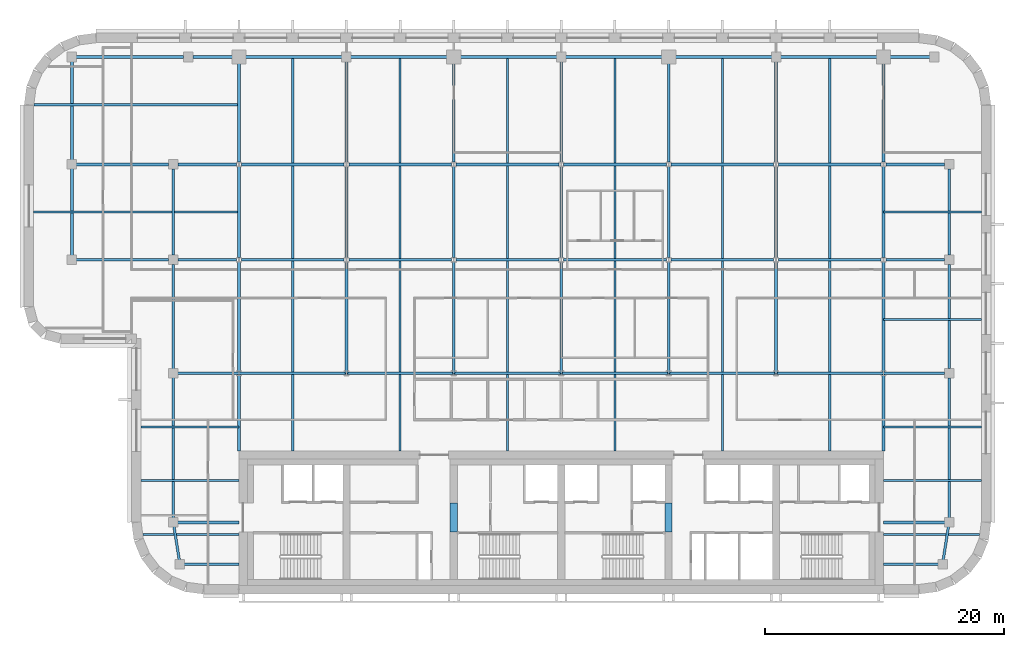
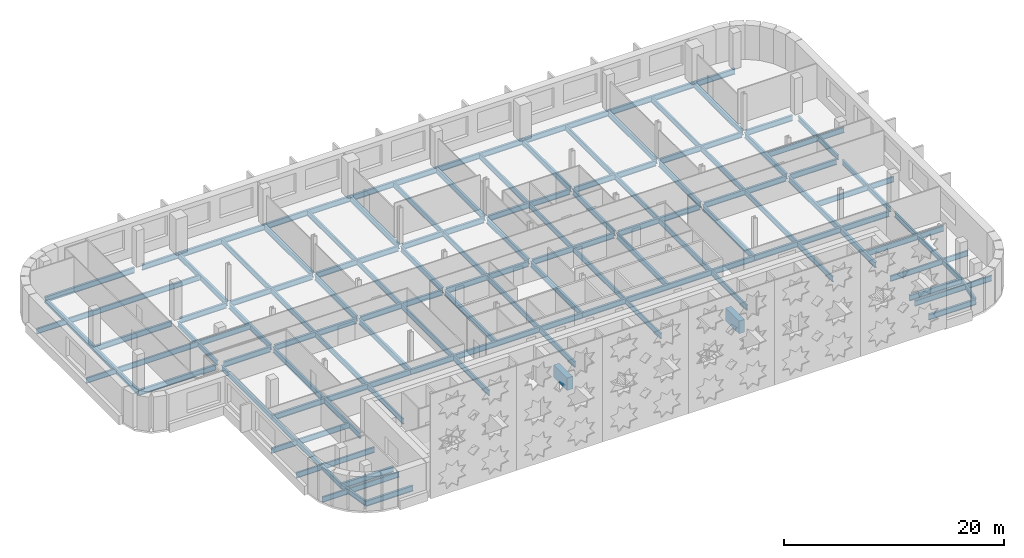
# One storey, part 5 of 17: 80 beams.
"""IFC4 building model written with IfcOpenShell, lengths in metres."""

import ifcopenshell
import ifcopenshell.guid

model = None  # the IFC model being written
_history = None  # IfcOwnerHistory: only IFC2X3 demands one
_inside = {}  # id of a spatial element -> (the spatial element, [elements in it])
_under = {}  # id of a project, library or spatial element -> (it, [spatial elements below it])
_declared = {}  # id of a project -> (the project, [libraries it declares])
_typed = {}  # id of a type object -> (the type object, [elements of that type])
_made_of = {}  # id of a material, layer set ... -> (it, [elements and type objects made of it])


def new_model(schema):
    """Start an empty IFC model of exactly this schema.

    Asked for "IFC4X3", IfcOpenShell would pick the latest addendum, in which some entities
    have other attributes; the version numbers below select the first issue.
    IFC2X3 requires an IfcOwnerHistory on every rooted entity: one is made here for all.
    """
    global model, _history
    if schema == "IFC4X3":
        model = ifcopenshell.file(schema_version=(4, 3, 0, 0))
    else:
        model = ifcopenshell.file(schema=schema)
    _inside.clear()
    _under.clear()
    _declared.clear()
    _typed.clear()
    _made_of.clear()
    _history = None
    if model.schema == "IFC2X3":
        org = make("IfcOrganization", Name="unknown")
        user = make(
            "IfcPersonAndOrganization",
            ThePerson=make("IfcPerson", FamilyName="unknown"),
            TheOrganization=org,
        )
        app = make(
            "IfcApplication",
            ApplicationDeveloper=org,
            Version="unknown",
            ApplicationFullName="unknown",
            ApplicationIdentifier="unknown",
        )
        _history = make(
            "IfcOwnerHistory",
            OwningUser=user,
            OwningApplication=app,
            ChangeAction="ADDED",
            CreationDate=0,
        )
    return model


def make(cls, **values):
    """One entity of the class cls with the attributes given. An attribute that is None is left unset."""
    return model.create_entity(
        cls, **{name: value for name, value in values.items() if value is not None}
    )


def rooted(cls, **values):
    """An entity with a GlobalId (a new one), such as an element, a storey or a relation."""
    return make(cls, GlobalId=ifcopenshell.guid.new(), OwnerHistory=_history, **values)


def si_unit(unit_type, name, prefix=None):
    """IfcSIUnit, for example si_unit("LENGTHUNIT", "METRE", prefix="MILLI")."""
    return make("IfcSIUnit", UnitType=unit_type, Prefix=prefix, Name=name)


def assignment(units):
    """IfcUnitAssignment: the units of a project."""
    return None if units is None else make("IfcUnitAssignment", Units=units)


def point(xyz):
    """IfcCartesianPoint."""
    return None if xyz is None else make("IfcCartesianPoint", Coordinates=xyz)


def direction(xyz):
    """IfcDirection."""
    return None if xyz is None else make("IfcDirection", DirectionRatios=xyz)


def frame(location, z_axis=None, x_axis=None):
    """IfcAxis2Placement3D, a coordinate frame: its origin and axes. An axis left out is left unset."""
    return make(
        "IfcAxis2Placement3D",
        Location=point(location),
        Axis=direction(z_axis),
        RefDirection=direction(x_axis),
    )


def frame_2d(location, x_axis=None):
    """IfcAxis2Placement2D, a coordinate frame in the plane: its origin and x axis."""
    return make(
        "IfcAxis2Placement2D", Location=point(location), RefDirection=direction(x_axis)
    )


def origin():
    """The frame at (0, 0, 0) with its axes left unset."""
    return frame((0.0, 0.0, 0.0))


def origin_2d():
    """The frame at (0, 0) in the plane with its x axis left unset."""
    return frame_2d((0.0, 0.0))


def place(relative_to, where):
    """IfcLocalPlacement: puts the frame where relative to a parent placement (None: the world)."""
    return make(
        "IfcLocalPlacement", PlacementRelTo=relative_to, RelativePlacement=where
    )


def context(
    kind, dimensions, precision=None, world=None, true_north=None, identifier=None
):
    """IfcGeometricRepresentationContext, for example the 3D "Model" context."""
    return make(
        "IfcGeometricRepresentationContext",
        ContextIdentifier=identifier,
        ContextType=kind,
        CoordinateSpaceDimension=dimensions,
        Precision=precision,
        WorldCoordinateSystem=world,
        TrueNorth=true_north,
    )


def subcontext(parent, identifier, kind, view, scale=None):
    """IfcGeometricRepresentationSubContext, for example "Body" below "Model"."""
    return make(
        "IfcGeometricRepresentationSubContext",
        ContextIdentifier=identifier,
        ContextType=kind,
        ParentContext=parent,
        TargetScale=scale,
        TargetView=view,
    )


def project(units=None, contexts=None):
    """IfcProject with its units and contexts."""
    return rooted(
        "IfcProject",
        Name="project",
        RepresentationContexts=contexts,
        UnitsInContext=assignment(units),
    )


def spatial(cls, under=None, at=None, **own):
    """A site, building, storey or space (cls), placed at a placement, below another one or the project."""
    s = rooted(cls, ObjectPlacement=at, **own)
    if under is not None:
        _under.setdefault(under.id(), (under, []))[1].append(s)
    return s


def profile(cls, at=None, kind="AREA", **sizes):
    """A parametric profile (cls). Its sizes go by their IFC names, for example OverallWidth=200.0."""
    return make(cls, ProfileType=kind, Position=at, **sizes)


def rectangle(**sizes):
    """IfcRectangleProfileDef."""
    return profile("IfcRectangleProfileDef", **sizes)


def i_section(**sizes):
    """IfcIShapeProfileDef."""
    return profile("IfcIShapeProfileDef", **sizes)


def extrude(swept, where, along, depth):
    """IfcExtrudedAreaSolid: the profile swept, set in the frame where, extruded along a direction by depth."""
    return make(
        "IfcExtrudedAreaSolid",
        SweptArea=swept,
        Position=where,
        ExtrudedDirection=direction(along),
        Depth=depth,
    )


def shape(context_of_items, identifier, shape_type, items):
    """IfcShapeRepresentation: the items that make up one representation, for example the "Body"."""
    return make(
        "IfcShapeRepresentation",
        ContextOfItems=context_of_items,
        RepresentationIdentifier=identifier,
        RepresentationType=shape_type,
        Items=items,
    )


def material(Name=None, Category=None):
    """IfcMaterial."""
    return make("IfcMaterial", Name=Name, Category=Category)


def material_profile(
    of_material, cross_section, Name=None, Category=None, Priority=None
):
    """IfcMaterialProfile: a cross section and its material."""
    return make(
        "IfcMaterialProfile",
        Name=Name,
        Material=of_material,
        Profile=cross_section,
        Priority=Priority,
        Category=Category,
    )


def profile_set(profiles, Name=None, composite=None):
    """IfcMaterialProfileSet."""
    return make(
        "IfcMaterialProfileSet",
        Name=Name,
        MaterialProfiles=profiles,
        CompositeProfile=composite,
    )


def made_of(thing, what):
    """Note that an element or type object is made of a material, layer set ...; save() writes the relation."""
    if what is not None:
        _made_of.setdefault(what.id(), (what, []))[1].append(thing)
    return thing


def type_object(cls, material=None, **own):
    """A type object (cls), such as IfcWallType, which elements share."""
    return made_of(rooted(cls, **own), material)


def element(
    cls,
    number,
    at=None,
    inside=None,
    cuts=None,
    type_object=None,
    material=None,
    context=None,
    identifier="Body",
    shape_type=None,
    held_by="IfcProductDefinitionShape",
    body=None,
    shapes=None,
    **own,
):
    """One element of the class cls, such as IfcWall. Its Tag is "e" and its number.

    at: its placement. inside: the storey or other place that contains it. cuts: it is an
    opening in that element (IfcRelVoidsElement). A single representation is given by context,
    identifier, shape_type and body (its items); several are given by shapes. held_by: the class
    of the entity that holds the representations. save() writes the other relations.
    """
    e = rooted(cls, Tag="e%d" % number, ObjectPlacement=at, **own)
    if body is not None:
        shapes = [shape(context, identifier, shape_type, body)]
    if shapes is not None:
        e.Representation = make(held_by, Representations=shapes)
    if inside is not None:
        _inside.setdefault(inside.id(), (inside, []))[1].append(e)
    if cuts is not None:
        rooted(
            "IfcRelVoidsElement", RelatingBuildingElement=cuts, RelatedOpeningElement=e
        )
    if type_object is not None:
        _typed.setdefault(type_object.id(), (type_object, []))[1].append(e)
    return made_of(e, material)


def aggregate(whole, parts):
    """IfcRelAggregates: a whole, such as a stair, and the parts it consists of."""
    return rooted("IfcRelAggregates", RelatingObject=whole, RelatedObjects=parts)


def save(model, path):
    """Write the relations noted so far, then the file.

    IfcRelAggregates (storeys below a building ...), IfcRelContainedInSpatialStructure (elements
    in a storey), IfcRelDefinesByType, IfcRelAssociatesMaterial and IfcRelDeclares: one each for
    every whole, place, type object, material and project.
    """
    for whole, parts in _under.values():
        aggregate(whole, parts)
    for where, things in _inside.values():
        rooted(
            "IfcRelContainedInSpatialStructure",
            RelatedElements=things,
            RelatingStructure=where,
        )
    for kind, things in _typed.values():
        rooted("IfcRelDefinesByType", RelatedObjects=things, RelatingType=kind)
    for what, things in _made_of.values():
        rooted("IfcRelAssociatesMaterial", RelatedObjects=things, RelatingMaterial=what)
    for by, libraries in _declared.values():
        rooted("IfcRelDeclares", RelatingContext=by, RelatedDefinitions=libraries)
    model.write(path)


model = new_model("IFC4")

# Units and contexts
model_context = context("Model", 3, precision=1e-05, world=origin(), true_north=direction((0.0, 1.0)))
body_context = subcontext(model_context, "Body", "Model", "MODEL_VIEW")
ifc_project = project(units=[si_unit("LENGTHUNIT", "METRE"), si_unit("AREAUNIT", "SQUARE_METRE"), si_unit("VOLUMEUNIT", "CUBIC_METRE"), si_unit("PLANEANGLEUNIT", "RADIAN"), si_unit("MASSUNIT", "GRAM", prefix="KILO")], contexts=[model_context])

# Site, building, storey
site_placement = place(None, origin())
site = spatial("IfcSite", under=ifc_project, at=site_placement, CompositionType="ELEMENT")
building_placement = place(site_placement, origin())
building = spatial("IfcBuilding", under=site, at=building_placement, Name="Zellij Exchange Tower", CompositionType="ELEMENT")
storey_placement = place(building_placement, frame((0.0, 0.0, 252.5)))
storey = spatial("IfcBuildingStorey", under=building, at=storey_placement, Name="L59", CompositionType="ELEMENT", Elevation=252.5)

# Beams
ifc_material_1 = material(Name="Concrete C50/60", Category="concrete")
ifc_material_profile_1 = material_profile(ifc_material_1, rectangle(XDim=0.60009765625, YDim=1.39990234375, at=origin_2d()), Name="CORE-CB 600x1400 C50/60")
ifc_profile_set_1 = profile_set([ifc_material_profile_1], Name="Concrete C50/60")
beam_type_1 = type_object("IfcBeamType", Name="CORE-CB 600x1400 C50/60", PredefinedType="BEAM", material=ifc_profile_set_1)
for number, where, z_axis, x_axis, name in (
    (1, (-9.0, -8.800048828125, 3.10009765625), (0.0, 1.0, 0.0), (-1.0, 0.0, 0.0), "Core coupling beam x -9 L59"),
    (2, (9.0, -8.800048828125, 3.10009765625), (0.0, 1.0, 0.0), (-1.0, 0.0, 0.0), "Core coupling beam x 9 L59"),
):
    element("IfcBeam", number, at=place(storey_placement, frame(where, z_axis=z_axis, x_axis=x_axis)), inside=storey, type_object=beam_type_1, Name=name, PredefinedType="BEAM", context=body_context, shape_type="SweptSolid", body=[
        extrude(rectangle(XDim=0.60009765625, YDim=1.39990234375, at=origin_2d()), origin(), (0.0, 0.0, 1.0), 2.425048828125),
    ])
ifc_material_2 = material(Name="Structural steel ASTM A992 Gr 50", Category="steel")
ifc_material_profile_2 = material_profile(ifc_material_2, i_section(OverallWidth=0.177978515625, OverallDepth=0.599365234375, WebThickness=0.010009765625, FlangeThickness=0.012939453125, at=origin_2d()), Name="W24x55")
ifc_profile_set_2 = profile_set([ifc_material_profile_2], Name="Structural steel ASTM A992 Gr 50")
beam_type_2 = type_object("IfcBeamType", Name="STR-BEAM W24x55", PredefinedType="BEAM", material=ifc_profile_set_2)
for number, where, z_axis, x_axis, name in (
    (3, (-22.5, -2.0, -0.499755859375), (0.0, 1.0, 0.0), (-1.0, 0.0, 0.0), "B4"),
    (4, (-13.5, -2.0, -0.499755859375), (0.0, 1.0, 0.0), (-1.0, 0.0, 0.0), "B4"),
    (5, (-4.5, -2.0, -0.499755859375), (0.0, 1.0, 0.0), (-1.0, 0.0, 0.0), "B4"),
    (6, (4.5, -2.0, -0.499755859375), (0.0, 1.0, 0.0), (-1.0, 0.0, 0.0), "B4"),
    (7, (13.5, -2.0, -0.499755859375), (0.0, 1.0, 0.0), (-1.0, 0.0, 0.0), "B4"),
    (8, (22.5, -2.0, -0.499755859375), (0.0, 1.0, 0.0), (-1.0, 0.0, 0.0), "B4"),
):
    element("IfcBeam", number, at=place(storey_placement, frame(where, z_axis=z_axis, x_axis=x_axis)), inside=storey, type_object=beam_type_2, Name=name, PredefinedType="BEAM", context=body_context, shape_type="SweptSolid", body=[
        extrude(i_section(OverallWidth=0.177978515625, OverallDepth=0.599365234375, WebThickness=0.010009765625, FlangeThickness=0.012939453125, at=origin_2d()), origin(), (0.0, 0.0, 1.0), 33.1142578125),
    ])
beam_1_placement = place(storey_placement, frame((-35.06103515625, -9.0, -0.499755859375), z_axis=(1.0, 0.0, 0.0), x_axis=(0.0, 1.0, 0.0)))
element("IfcBeam", 9, at=beam_1_placement, inside=storey, type_object=beam_type_2, Name="B4", PredefinedType="BEAM", context=body_context, shape_type="SweptSolid", body=[
    extrude(i_section(OverallWidth=0.177978515625, OverallDepth=0.599365234375, WebThickness=0.010009765625, FlangeThickness=0.012939453125, at=origin_2d()), origin(), (0.0, 0.0, 1.0), 8.06103515625),
])
for number, where, z_axis, x_axis, name in (
    (10, (-35.199951171875, -4.5, -0.499755859375), (1.0, 0.0, 0.0), (0.0, 1.0, 0.0), "B4"),
    (11, (-35.199951171875, 0.0, -0.499755859375), (1.0, 0.0, 0.0), (0.0, 1.0, 0.0), "B4"),
):
    element("IfcBeam", number, at=place(storey_placement, frame(where, z_axis=z_axis, x_axis=x_axis)), inside=storey, type_object=beam_type_2, Name=name, PredefinedType="BEAM", context=body_context, shape_type="SweptSolid", body=[
        extrude(i_section(OverallWidth=0.177978515625, OverallDepth=0.599365234375, WebThickness=0.010009765625, FlangeThickness=0.012939453125, at=origin_2d()), origin(), (0.0, 0.0, 1.0), 8.199951171875),
    ])
beam_2_placement = place(storey_placement, frame((-44.199951171875, 18.0, -0.499755859375), z_axis=(1.0, 0.0, 0.0), x_axis=(0.0, 1.0, 0.0)))
element("IfcBeam", 12, at=beam_2_placement, inside=storey, type_object=beam_type_2, Name="B4", PredefinedType="BEAM", context=body_context, shape_type="SweptSolid", body=[
    extrude(i_section(OverallWidth=0.177978515625, OverallDepth=0.599365234375, WebThickness=0.010009765625, FlangeThickness=0.012939453125, at=origin_2d()), origin(), (0.0, 0.0, 1.0), 17.199951171875),
])
beam_3_placement = place(storey_placement, frame((-44.193115234375, 27.0, -0.499755859375), z_axis=(1.0, 0.0, 0.0), x_axis=(0.0, 1.0, 0.0)))
element("IfcBeam", 13, at=beam_3_placement, inside=storey, type_object=beam_type_2, Name="B4", PredefinedType="BEAM", context=body_context, shape_type="SweptSolid", body=[
    extrude(i_section(OverallWidth=0.177978515625, OverallDepth=0.599365234375, WebThickness=0.010009765625, FlangeThickness=0.012939453125, at=origin_2d()), origin(), (0.0, 0.0, 1.0), 17.193115234375),
])
beam_4_placement = place(storey_placement, frame((27.0, -9.0, -0.499755859375), z_axis=(1.0, 0.0, 0.0), x_axis=(0.0, 1.0, 0.0)))
element("IfcBeam", 14, at=beam_4_placement, inside=storey, type_object=beam_type_2, Name="B4", PredefinedType="BEAM", context=body_context, shape_type="SweptSolid", body=[
    extrude(i_section(OverallWidth=0.177978515625, OverallDepth=0.599365234375, WebThickness=0.010009765625, FlangeThickness=0.012939453125, at=origin_2d()), origin(), (0.0, 0.0, 1.0), 8.06103515625),
])
for number, where, z_axis, x_axis, name in (
    (15, (27.0, -4.5, -0.499755859375), (1.0, 0.0, 0.0), (0.0, 1.0, 0.0), "B4"),
    (16, (27.0, 0.0, -0.499755859375), (1.0, 0.0, 0.0), (0.0, 1.0, 0.0), "B4"),
    (17, (27.0, 9.0, -0.499755859375), (1.0, 0.0, 0.0), (0.0, 1.0, 0.0), "B4"),
    (18, (27.0, 18.0, -0.499755859375), (1.0, 0.0, 0.0), (0.0, 1.0, 0.0), "B4"),
):
    element("IfcBeam", number, at=place(storey_placement, frame(where, z_axis=z_axis, x_axis=x_axis)), inside=storey, type_object=beam_type_2, Name=name, PredefinedType="BEAM", context=body_context, shape_type="SweptSolid", body=[
        extrude(i_section(OverallWidth=0.177978515625, OverallDepth=0.599365234375, WebThickness=0.010009765625, FlangeThickness=0.012939453125, at=origin_2d()), origin(), (0.0, 0.0, 1.0), 8.199951171875),
    ])
ifc_material_profile_3 = material_profile(ifc_material_2, i_section(OverallWidth=0.209228515625, OverallDepth=0.533447265625, WebThickness=0.01025390625, FlangeThickness=0.015625, at=origin_2d()), Name="W21x62")
ifc_profile_set_3 = profile_set([ifc_material_profile_3], Name="Structural steel ASTM A992 Gr 50")
beam_type_3 = type_object("IfcBeamType", Name="STR-EDGE GIRDER W21x62", PredefinedType="BEAM", material=ifc_profile_set_3)
beam_5_placement = place(storey_placement, frame((-31.949951171875, -11.5, -0.466796875), z_axis=(-0.155251283593, 0.987875011802, 0.0), x_axis=(-0.987875011802, -0.155251283593, 0.0)))
element("IfcBeam", 19, at=beam_5_placement, inside=storey, type_object=beam_type_3, Name="EB3", PredefinedType="BEAM", context=body_context, shape_type="SweptSolid", body=[
    extrude(i_section(OverallWidth=0.209228515625, OverallDepth=0.533447265625, WebThickness=0.01025390625, FlangeThickness=0.015625, at=origin_2d()), origin(), (0.0, 0.0, 1.0), 3.54296875),
])
beam_6_placement = place(storey_placement, frame((-32.5, -8.0, -0.466796875), z_axis=(0.0, 1.0, 0.0), x_axis=(-1.0, 0.0, 0.0)))
element("IfcBeam", 20, at=beam_6_placement, inside=storey, type_object=beam_type_3, Name="EB3", PredefinedType="BEAM", context=body_context, shape_type="SweptSolid", body=[
    extrude(i_section(OverallWidth=0.209228515625, OverallDepth=0.533447265625, WebThickness=0.01025390625, FlangeThickness=0.015625, at=origin_2d()), origin(), (0.0, 0.0, 1.0), 12.5),
])
beam_7_placement = place(storey_placement, frame((-32.5, 4.5, -0.466796875), z_axis=(0.0, 1.0, 0.0), x_axis=(-1.0, 0.0, 0.0)))
element("IfcBeam", 21, at=beam_7_placement, inside=storey, type_object=beam_type_3, Name="EB3", PredefinedType="BEAM", context=body_context, shape_type="SweptSolid", body=[
    extrude(i_section(OverallWidth=0.209228515625, OverallDepth=0.533447265625, WebThickness=0.01025390625, FlangeThickness=0.015625, at=origin_2d()), origin(), (0.0, 0.0, 1.0), 9.10009765625),
])
beam_8_placement = place(storey_placement, frame((-32.5, 14.39990234375, -0.466796875), z_axis=(0.0, 1.0, 0.0), x_axis=(-1.0, 0.0, 0.0)))
element("IfcBeam", 22, at=beam_8_placement, inside=storey, type_object=beam_type_3, Name="EB3", PredefinedType="BEAM", context=body_context, shape_type="SweptSolid", body=[
    extrude(i_section(OverallWidth=0.209228515625, OverallDepth=0.533447265625, WebThickness=0.01025390625, FlangeThickness=0.015625, at=origin_2d()), origin(), (0.0, 0.0, 1.0), 7.2001953125),
])
beam_9_placement = place(storey_placement, frame((31.949951171875, -11.5, -0.466796875), z_axis=(0.155251283593, 0.987875011802, 0.0), x_axis=(-0.987875011802, 0.155251283593, 0.0)))
element("IfcBeam", 23, at=beam_9_placement, inside=storey, type_object=beam_type_3, Name="EB3", PredefinedType="BEAM", context=body_context, shape_type="SweptSolid", body=[
    extrude(i_section(OverallWidth=0.209228515625, OverallDepth=0.533447265625, WebThickness=0.01025390625, FlangeThickness=0.015625, at=origin_2d()), origin(), (0.0, 0.0, 1.0), 3.54296875),
])
beam_10_placement = place(storey_placement, frame((32.5, -8.0, -0.466796875), z_axis=(0.0, 1.0, 0.0), x_axis=(-1.0, 0.0, 0.0)))
element("IfcBeam", 24, at=beam_10_placement, inside=storey, type_object=beam_type_3, Name="EB3", PredefinedType="BEAM", context=body_context, shape_type="SweptSolid", body=[
    extrude(i_section(OverallWidth=0.209228515625, OverallDepth=0.533447265625, WebThickness=0.01025390625, FlangeThickness=0.015625, at=origin_2d()), origin(), (0.0, 0.0, 1.0), 12.10009765625),
])
beam_11_placement = place(storey_placement, frame((32.5, 4.89990234375, -0.466796875), z_axis=(0.0, 1.0, 0.0), x_axis=(-1.0, 0.0, 0.0)))
element("IfcBeam", 25, at=beam_11_placement, inside=storey, type_object=beam_type_3, Name="EB3", PredefinedType="BEAM", context=body_context, shape_type="SweptSolid", body=[
    extrude(i_section(OverallWidth=0.209228515625, OverallDepth=0.533447265625, WebThickness=0.01025390625, FlangeThickness=0.015625, at=origin_2d()), origin(), (0.0, 0.0, 1.0), 8.7001953125),
])
beam_12_placement = place(storey_placement, frame((32.5, 14.39990234375, -0.466796875), z_axis=(0.0, 1.0, 0.0), x_axis=(-1.0, 0.0, 0.0)))
element("IfcBeam", 26, at=beam_12_placement, inside=storey, type_object=beam_type_3, Name="EB3", PredefinedType="BEAM", context=body_context, shape_type="SweptSolid", body=[
    extrude(i_section(OverallWidth=0.209228515625, OverallDepth=0.533447265625, WebThickness=0.01025390625, FlangeThickness=0.015625, at=origin_2d()), origin(), (0.0, 0.0, 1.0), 7.2001953125),
])
ifc_material_profile_4 = material_profile(ifc_material_2, i_section(OverallWidth=0.228271484375, OverallDepth=0.607177734375, WebThickness=0.01123046875, FlangeThickness=0.017333984375, at=origin_2d()), Name="W24x76")
ifc_profile_set_4 = profile_set([ifc_material_profile_4], Name="Structural steel ASTM A992 Gr 50")
beam_type_4 = type_object("IfcBeamType", Name="STR-GIRDER W24x76", PredefinedType="BEAM", material=ifc_profile_set_4)
for number, where, z_axis, x_axis, name in (
    (27, (-31.949951171875, -11.5, -0.50341796875), (1.0, 0.0, 0.0), (0.0, 1.0, 0.0), "G2"),
    (28, (27.0, -11.5, -0.50341796875), (1.0, 0.0, 0.0), (0.0, 1.0, 0.0), "G2"),
):
    element("IfcBeam", number, at=place(storey_placement, frame(where, z_axis=z_axis, x_axis=x_axis)), inside=storey, type_object=beam_type_4, Name=name, PredefinedType="BEAM", context=body_context, shape_type="SweptSolid", body=[
        extrude(i_section(OverallWidth=0.228271484375, OverallDepth=0.607177734375, WebThickness=0.01123046875, FlangeThickness=0.017333984375, at=origin_2d()), origin(), (0.0, 0.0, 1.0), 4.949951171875),
    ])
for number, where, z_axis, x_axis, name in (
    (29, (-32.5, -8.0, -0.50341796875), (1.0, 0.0, 0.0), (0.0, 1.0, 0.0), "G2"),
    (30, (27.0, -8.0, -0.50341796875), (1.0, 0.0, 0.0), (0.0, 1.0, 0.0), "G2"),
):
    element("IfcBeam", number, at=place(storey_placement, frame(where, z_axis=z_axis, x_axis=x_axis)), inside=storey, type_object=beam_type_4, Name=name, PredefinedType="BEAM", context=body_context, shape_type="SweptSolid", body=[
        extrude(i_section(OverallWidth=0.228271484375, OverallDepth=0.607177734375, WebThickness=0.01123046875, FlangeThickness=0.017333984375, at=origin_2d()), origin(), (0.0, 0.0, 1.0), 5.5),
    ])
beam_13_placement = place(storey_placement, frame((-32.5, 4.5, -0.50341796875), z_axis=(1.0, 0.0, 0.0), x_axis=(0.0, 1.0, 0.0)))
element("IfcBeam", 31, at=beam_13_placement, inside=storey, type_object=beam_type_4, Name="G2", PredefinedType="BEAM", context=body_context, shape_type="SweptSolid", body=[
    extrude(i_section(OverallWidth=0.228271484375, OverallDepth=0.607177734375, WebThickness=0.01123046875, FlangeThickness=0.017333984375, at=origin_2d()), origin(), (0.0, 0.0, 1.0), 14.5),
])
for number, where, z_axis, x_axis, name in (
    (32, (-18.0, 4.5, -0.50341796875), (1.0, 0.0, 0.0), (0.0, 1.0, 0.0), "G2"),
    (33, (0.0, 4.5, -0.50341796875), (1.0, 0.0, 0.0), (0.0, 1.0, 0.0), "G2"),
):
    element("IfcBeam", number, at=place(storey_placement, frame(where, z_axis=z_axis, x_axis=x_axis)), inside=storey, type_object=beam_type_4, Name=name, PredefinedType="BEAM", context=body_context, shape_type="SweptSolid", body=[
        extrude(i_section(OverallWidth=0.228271484375, OverallDepth=0.607177734375, WebThickness=0.01123046875, FlangeThickness=0.017333984375, at=origin_2d()), origin(), (0.0, 0.0, 1.0), 18.0),
    ])
beam_14_placement = place(storey_placement, frame((18.0, 4.5, -0.50341796875), z_axis=(1.0, 0.0, 0.0), x_axis=(0.0, 1.0, 0.0)))
element("IfcBeam", 34, at=beam_14_placement, inside=storey, type_object=beam_type_4, Name="G2", PredefinedType="BEAM", context=body_context, shape_type="SweptSolid", body=[
    extrude(i_section(OverallWidth=0.228271484375, OverallDepth=0.607177734375, WebThickness=0.01123046875, FlangeThickness=0.017333984375, at=origin_2d()), origin(), (0.0, 0.0, 1.0), 14.10009765625),
])
beam_15_placement = place(storey_placement, frame((-41.0, 14.0, -0.50341796875), z_axis=(1.0, 0.0, 0.0), x_axis=(0.0, 1.0, 0.0)))
element("IfcBeam", 35, at=beam_15_placement, inside=storey, type_object=beam_type_4, Name="G2", PredefinedType="BEAM", context=body_context, shape_type="SweptSolid", body=[
    extrude(i_section(OverallWidth=0.228271484375, OverallDepth=0.607177734375, WebThickness=0.01123046875, FlangeThickness=0.017333984375, at=origin_2d()), origin(), (0.0, 0.0, 1.0), 8.10009765625),
])
beam_16_placement = place(storey_placement, frame((-32.10009765625, 14.0, -0.50341796875), z_axis=(1.0, 0.0, 0.0), x_axis=(0.0, 1.0, 0.0)))
element("IfcBeam", 36, at=beam_16_placement, inside=storey, type_object=beam_type_4, Name="G2", PredefinedType="BEAM", context=body_context, shape_type="SweptSolid", body=[
    extrude(i_section(OverallWidth=0.228271484375, OverallDepth=0.607177734375, WebThickness=0.01123046875, FlangeThickness=0.017333984375, at=origin_2d()), origin(), (0.0, 0.0, 1.0), 4.900634765625),
])
for number, where, z_axis, x_axis, name in (
    (37, (-26.800537109375, 14.0, -0.50341796875), (1.0, 0.0, 0.0), (0.0, 1.0, 0.0), "G2"),
    (38, (-17.800537109375, 14.0, -0.50341796875), (1.0, 0.0, 0.0), (0.0, 1.0, 0.0), "G2"),
    (39, (-8.800537109375, 14.0, -0.50341796875), (1.0, 0.0, 0.0), (0.0, 1.0, 0.0), "G2"),
    (40, (0.199462890625, 14.0, -0.50341796875), (1.0, 0.0, 0.0), (0.0, 1.0, 0.0), "G2"),
    (41, (9.199462890625, 14.0, -0.50341796875), (1.0, 0.0, 0.0), (0.0, 1.0, 0.0), "G2"),
    (42, (18.199462890625, 14.0, -0.50341796875), (1.0, 0.0, 0.0), (0.0, 1.0, 0.0), "G2"),
):
    element("IfcBeam", number, at=place(storey_placement, frame(where, z_axis=z_axis, x_axis=x_axis)), inside=storey, type_object=beam_type_4, Name=name, PredefinedType="BEAM", context=body_context, shape_type="SweptSolid", body=[
        extrude(i_section(OverallWidth=0.228271484375, OverallDepth=0.607177734375, WebThickness=0.01123046875, FlangeThickness=0.017333984375, at=origin_2d()), origin(), (0.0, 0.0, 1.0), 8.60107421875),
    ])
beam_17_placement = place(storey_placement, frame((27.199462890625, 14.0, -0.50341796875), z_axis=(1.0, 0.0, 0.0), x_axis=(0.0, 1.0, 0.0)))
element("IfcBeam", 43, at=beam_17_placement, inside=storey, type_object=beam_type_4, Name="G2", PredefinedType="BEAM", context=body_context, shape_type="SweptSolid", body=[
    extrude(i_section(OverallWidth=0.228271484375, OverallDepth=0.607177734375, WebThickness=0.01123046875, FlangeThickness=0.017333984375, at=origin_2d()), origin(), (0.0, 0.0, 1.0), 4.900634765625),
])
beam_18_placement = place(storey_placement, frame((-41.0, 22.0, -0.50341796875), z_axis=(1.0, 0.0, 0.0), x_axis=(0.0, 1.0, 0.0)))
element("IfcBeam", 44, at=beam_18_placement, inside=storey, type_object=beam_type_4, Name="G2", PredefinedType="BEAM", context=body_context, shape_type="SweptSolid", body=[
    extrude(i_section(OverallWidth=0.228271484375, OverallDepth=0.607177734375, WebThickness=0.01123046875, FlangeThickness=0.017333984375, at=origin_2d()), origin(), (0.0, 0.0, 1.0), 8.10009765625),
])
beam_19_placement = place(storey_placement, frame((-32.10009765625, 22.0, -0.50341796875), z_axis=(1.0, 0.0, 0.0), x_axis=(0.0, 1.0, 0.0)))
element("IfcBeam", 45, at=beam_19_placement, inside=storey, type_object=beam_type_4, Name="G2", PredefinedType="BEAM", context=body_context, shape_type="SweptSolid", body=[
    extrude(i_section(OverallWidth=0.228271484375, OverallDepth=0.607177734375, WebThickness=0.01123046875, FlangeThickness=0.017333984375, at=origin_2d()), origin(), (0.0, 0.0, 1.0), 4.900634765625),
])
for number, where, z_axis, x_axis, name in (
    (46, (-26.800537109375, 22.0, -0.50341796875), (1.0, 0.0, 0.0), (0.0, 1.0, 0.0), "G2"),
    (47, (-17.800537109375, 22.0, -0.50341796875), (1.0, 0.0, 0.0), (0.0, 1.0, 0.0), "G2"),
    (48, (-8.800537109375, 22.0, -0.50341796875), (1.0, 0.0, 0.0), (0.0, 1.0, 0.0), "G2"),
    (49, (0.199462890625, 22.0, -0.50341796875), (1.0, 0.0, 0.0), (0.0, 1.0, 0.0), "G2"),
    (50, (9.199462890625, 22.0, -0.50341796875), (1.0, 0.0, 0.0), (0.0, 1.0, 0.0), "G2"),
    (51, (18.199462890625, 22.0, -0.50341796875), (1.0, 0.0, 0.0), (0.0, 1.0, 0.0), "G2"),
):
    element("IfcBeam", number, at=place(storey_placement, frame(where, z_axis=z_axis, x_axis=x_axis)), inside=storey, type_object=beam_type_4, Name=name, PredefinedType="BEAM", context=body_context, shape_type="SweptSolid", body=[
        extrude(i_section(OverallWidth=0.228271484375, OverallDepth=0.607177734375, WebThickness=0.01123046875, FlangeThickness=0.017333984375, at=origin_2d()), origin(), (0.0, 0.0, 1.0), 8.60107421875),
    ])
beam_20_placement = place(storey_placement, frame((27.199462890625, 22.0, -0.50341796875), z_axis=(1.0, 0.0, 0.0), x_axis=(0.0, 1.0, 0.0)))
element("IfcBeam", 52, at=beam_20_placement, inside=storey, type_object=beam_type_4, Name="G2", PredefinedType="BEAM", context=body_context, shape_type="SweptSolid", body=[
    extrude(i_section(OverallWidth=0.228271484375, OverallDepth=0.607177734375, WebThickness=0.01123046875, FlangeThickness=0.017333984375, at=origin_2d()), origin(), (0.0, 0.0, 1.0), 4.900634765625),
])
beam_21_placement = place(storey_placement, frame((-41.0, 31.0, -0.50341796875), z_axis=(1.0, 0.0, 0.0), x_axis=(0.0, 1.0, 0.0)))
element("IfcBeam", 53, at=beam_21_placement, inside=storey, type_object=beam_type_4, Name="G2", PredefinedType="BEAM", context=body_context, shape_type="SweptSolid", body=[
    extrude(i_section(OverallWidth=0.228271484375, OverallDepth=0.607177734375, WebThickness=0.01123046875, FlangeThickness=0.017333984375, at=origin_2d()), origin(), (0.0, 0.0, 1.0), 9.35009765625),
])
beam_22_placement = place(storey_placement, frame((-30.85009765625, 31.0, -0.50341796875), z_axis=(1.0, 0.0, 0.0), x_axis=(0.0, 1.0, 0.0)))
element("IfcBeam", 54, at=beam_22_placement, inside=storey, type_object=beam_type_4, Name="G2", PredefinedType="BEAM", context=body_context, shape_type="SweptSolid", body=[
    extrude(i_section(OverallWidth=0.228271484375, OverallDepth=0.607177734375, WebThickness=0.01123046875, FlangeThickness=0.017333984375, at=origin_2d()), origin(), (0.0, 0.0, 1.0), 3.85009765625),
])
for number, where, z_axis, x_axis, name in (
    (55, (-27.0, 31.0, -0.50341796875), (1.0, 0.0, 0.0), (0.0, 1.0, 0.0), "G2"),
    (56, (-9.0, 31.0, -0.50341796875), (1.0, 0.0, 0.0), (0.0, 1.0, 0.0), "G2"),
    (57, (9.0, 31.0, -0.50341796875), (1.0, 0.0, 0.0), (0.0, 1.0, 0.0), "G2"),
):
    element("IfcBeam", number, at=place(storey_placement, frame(where, z_axis=z_axis, x_axis=x_axis)), inside=storey, type_object=beam_type_4, Name=name, PredefinedType="BEAM", context=body_context, shape_type="SweptSolid", body=[
        extrude(i_section(OverallWidth=0.228271484375, OverallDepth=0.607177734375, WebThickness=0.01123046875, FlangeThickness=0.017333984375, at=origin_2d()), origin(), (0.0, 0.0, 1.0), 18.0),
    ])
beam_23_placement = place(storey_placement, frame((27.0, 31.0, -0.50341796875), z_axis=(1.0, 0.0, 0.0), x_axis=(0.0, 1.0, 0.0)))
element("IfcBeam", 58, at=beam_23_placement, inside=storey, type_object=beam_type_4, Name="G2", PredefinedType="BEAM", context=body_context, shape_type="SweptSolid", body=[
    extrude(i_section(OverallWidth=0.228271484375, OverallDepth=0.607177734375, WebThickness=0.01123046875, FlangeThickness=0.017333984375, at=origin_2d()), origin(), (0.0, 0.0, 1.0), 4.25),
])
beam_24_placement = place(storey_placement, frame((-41.0, 14.0, -0.50341796875), z_axis=(0.0, 1.0, 0.0), x_axis=(-1.0, 0.0, 0.0)))
element("IfcBeam", 59, at=beam_24_placement, inside=storey, type_object=beam_type_4, Name="G2", PredefinedType="BEAM", context=body_context, shape_type="SweptSolid", body=[
    extrude(i_section(OverallWidth=0.228271484375, OverallDepth=0.607177734375, WebThickness=0.01123046875, FlangeThickness=0.017333984375, at=origin_2d()), origin(), (0.0, 0.0, 1.0), 17.0),
])
beam_25_placement = place(storey_placement, frame((-27.0, -2.0, -0.50341796875), z_axis=(0.0, 1.0, 0.0), x_axis=(-1.0, 0.0, 0.0)))
element("IfcBeam", 60, at=beam_25_placement, inside=storey, type_object=beam_type_4, Name="G2", PredefinedType="BEAM", context=body_context, shape_type="SweptSolid", body=[
    extrude(i_section(OverallWidth=0.228271484375, OverallDepth=0.607177734375, WebThickness=0.01123046875, FlangeThickness=0.017333984375, at=origin_2d()), origin(), (0.0, 0.0, 1.0), 15.806884765625),
])
beam_26_placement = place(storey_placement, frame((-27.0, 14.193115234375, -0.50341796875), z_axis=(0.0, 1.0, 0.0), x_axis=(-1.0, 0.0, 0.0)))
element("IfcBeam", 61, at=beam_26_placement, inside=storey, type_object=beam_type_4, Name="G2", PredefinedType="BEAM", context=body_context, shape_type="SweptSolid", body=[
    extrude(i_section(OverallWidth=0.228271484375, OverallDepth=0.607177734375, WebThickness=0.01123046875, FlangeThickness=0.017333984375, at=origin_2d()), origin(), (0.0, 0.0, 1.0), 7.61376953125),
])
beam_27_placement = place(storey_placement, frame((-27.0, 22.193115234375, -0.50341796875), z_axis=(0.0, 1.0, 0.0), x_axis=(-1.0, 0.0, 0.0)))
element("IfcBeam", 62, at=beam_27_placement, inside=storey, type_object=beam_type_4, Name="G2", PredefinedType="BEAM", context=body_context, shape_type="SweptSolid", body=[
    extrude(i_section(OverallWidth=0.228271484375, OverallDepth=0.607177734375, WebThickness=0.01123046875, FlangeThickness=0.017333984375, at=origin_2d()), origin(), (0.0, 0.0, 1.0), 8.806884765625),
])
beam_28_placement = place(storey_placement, frame((-18.0, 4.5, -0.50341796875), z_axis=(0.0, 1.0, 0.0), x_axis=(-1.0, 0.0, 0.0)))
element("IfcBeam", 63, at=beam_28_placement, inside=storey, type_object=beam_type_4, Name="G2", PredefinedType="BEAM", context=body_context, shape_type="SweptSolid", body=[
    extrude(i_section(OverallWidth=0.228271484375, OverallDepth=0.607177734375, WebThickness=0.01123046875, FlangeThickness=0.017333984375, at=origin_2d()), origin(), (0.0, 0.0, 1.0), 9.306884765625),
])
beam_29_placement = place(storey_placement, frame((-18.0, 14.193115234375, -0.50341796875), z_axis=(0.0, 1.0, 0.0), x_axis=(-1.0, 0.0, 0.0)))
element("IfcBeam", 64, at=beam_29_placement, inside=storey, type_object=beam_type_4, Name="G2", PredefinedType="BEAM", context=body_context, shape_type="SweptSolid", body=[
    extrude(i_section(OverallWidth=0.228271484375, OverallDepth=0.607177734375, WebThickness=0.01123046875, FlangeThickness=0.017333984375, at=origin_2d()), origin(), (0.0, 0.0, 1.0), 7.61376953125),
])
beam_30_placement = place(storey_placement, frame((-18.0, 22.193115234375, -0.50341796875), z_axis=(0.0, 1.0, 0.0), x_axis=(-1.0, 0.0, 0.0)))
element("IfcBeam", 65, at=beam_30_placement, inside=storey, type_object=beam_type_4, Name="G2", PredefinedType="BEAM", context=body_context, shape_type="SweptSolid", body=[
    extrude(i_section(OverallWidth=0.228271484375, OverallDepth=0.607177734375, WebThickness=0.01123046875, FlangeThickness=0.017333984375, at=origin_2d()), origin(), (0.0, 0.0, 1.0), 8.806884765625),
])
beam_31_placement = place(storey_placement, frame((-9.0, 4.5, -0.50341796875), z_axis=(0.0, 1.0, 0.0), x_axis=(-1.0, 0.0, 0.0)))
element("IfcBeam", 66, at=beam_31_placement, inside=storey, type_object=beam_type_4, Name="G2", PredefinedType="BEAM", context=body_context, shape_type="SweptSolid", body=[
    extrude(i_section(OverallWidth=0.228271484375, OverallDepth=0.607177734375, WebThickness=0.01123046875, FlangeThickness=0.017333984375, at=origin_2d()), origin(), (0.0, 0.0, 1.0), 9.306884765625),
])
beam_32_placement = place(storey_placement, frame((-9.0, 14.193115234375, -0.50341796875), z_axis=(0.0, 1.0, 0.0), x_axis=(-1.0, 0.0, 0.0)))
element("IfcBeam", 67, at=beam_32_placement, inside=storey, type_object=beam_type_4, Name="G2", PredefinedType="BEAM", context=body_context, shape_type="SweptSolid", body=[
    extrude(i_section(OverallWidth=0.228271484375, OverallDepth=0.607177734375, WebThickness=0.01123046875, FlangeThickness=0.017333984375, at=origin_2d()), origin(), (0.0, 0.0, 1.0), 7.61376953125),
])
beam_33_placement = place(storey_placement, frame((-9.0, 22.193115234375, -0.50341796875), z_axis=(0.0, 1.0, 0.0), x_axis=(-1.0, 0.0, 0.0)))
element("IfcBeam", 68, at=beam_33_placement, inside=storey, type_object=beam_type_4, Name="G2", PredefinedType="BEAM", context=body_context, shape_type="SweptSolid", body=[
    extrude(i_section(OverallWidth=0.228271484375, OverallDepth=0.607177734375, WebThickness=0.01123046875, FlangeThickness=0.017333984375, at=origin_2d()), origin(), (0.0, 0.0, 1.0), 8.806884765625),
])
beam_34_placement = place(storey_placement, frame((0.0, 4.5, -0.50341796875), z_axis=(0.0, 1.0, 0.0), x_axis=(-1.0, 0.0, 0.0)))
element("IfcBeam", 69, at=beam_34_placement, inside=storey, type_object=beam_type_4, Name="G2", PredefinedType="BEAM", context=body_context, shape_type="SweptSolid", body=[
    extrude(i_section(OverallWidth=0.228271484375, OverallDepth=0.607177734375, WebThickness=0.01123046875, FlangeThickness=0.017333984375, at=origin_2d()), origin(), (0.0, 0.0, 1.0), 9.306884765625),
])
beam_35_placement = place(storey_placement, frame((0.0, 14.193115234375, -0.50341796875), z_axis=(0.0, 1.0, 0.0), x_axis=(-1.0, 0.0, 0.0)))
element("IfcBeam", 70, at=beam_35_placement, inside=storey, type_object=beam_type_4, Name="G2", PredefinedType="BEAM", context=body_context, shape_type="SweptSolid", body=[
    extrude(i_section(OverallWidth=0.228271484375, OverallDepth=0.607177734375, WebThickness=0.01123046875, FlangeThickness=0.017333984375, at=origin_2d()), origin(), (0.0, 0.0, 1.0), 7.61376953125),
])
beam_36_placement = place(storey_placement, frame((0.0, 22.193115234375, -0.50341796875), z_axis=(0.0, 1.0, 0.0), x_axis=(-1.0, 0.0, 0.0)))
element("IfcBeam", 71, at=beam_36_placement, inside=storey, type_object=beam_type_4, Name="G2", PredefinedType="BEAM", context=body_context, shape_type="SweptSolid", body=[
    extrude(i_section(OverallWidth=0.228271484375, OverallDepth=0.607177734375, WebThickness=0.01123046875, FlangeThickness=0.017333984375, at=origin_2d()), origin(), (0.0, 0.0, 1.0), 8.806884765625),
])
beam_37_placement = place(storey_placement, frame((9.0, 4.5, -0.50341796875), z_axis=(0.0, 1.0, 0.0), x_axis=(-1.0, 0.0, 0.0)))
element("IfcBeam", 72, at=beam_37_placement, inside=storey, type_object=beam_type_4, Name="G2", PredefinedType="BEAM", context=body_context, shape_type="SweptSolid", body=[
    extrude(i_section(OverallWidth=0.228271484375, OverallDepth=0.607177734375, WebThickness=0.01123046875, FlangeThickness=0.017333984375, at=origin_2d()), origin(), (0.0, 0.0, 1.0), 9.306884765625),
])
beam_38_placement = place(storey_placement, frame((9.0, 14.193115234375, -0.50341796875), z_axis=(0.0, 1.0, 0.0), x_axis=(-1.0, 0.0, 0.0)))
element("IfcBeam", 73, at=beam_38_placement, inside=storey, type_object=beam_type_4, Name="G2", PredefinedType="BEAM", context=body_context, shape_type="SweptSolid", body=[
    extrude(i_section(OverallWidth=0.228271484375, OverallDepth=0.607177734375, WebThickness=0.01123046875, FlangeThickness=0.017333984375, at=origin_2d()), origin(), (0.0, 0.0, 1.0), 7.61376953125),
])
beam_39_placement = place(storey_placement, frame((9.0, 22.193115234375, -0.50341796875), z_axis=(0.0, 1.0, 0.0), x_axis=(-1.0, 0.0, 0.0)))
element("IfcBeam", 74, at=beam_39_placement, inside=storey, type_object=beam_type_4, Name="G2", PredefinedType="BEAM", context=body_context, shape_type="SweptSolid", body=[
    extrude(i_section(OverallWidth=0.228271484375, OverallDepth=0.607177734375, WebThickness=0.01123046875, FlangeThickness=0.017333984375, at=origin_2d()), origin(), (0.0, 0.0, 1.0), 8.806884765625),
])
beam_40_placement = place(storey_placement, frame((18.0, 4.5, -0.50341796875), z_axis=(0.0, 1.0, 0.0), x_axis=(-1.0, 0.0, 0.0)))
element("IfcBeam", 75, at=beam_40_placement, inside=storey, type_object=beam_type_4, Name="G2", PredefinedType="BEAM", context=body_context, shape_type="SweptSolid", body=[
    extrude(i_section(OverallWidth=0.228271484375, OverallDepth=0.607177734375, WebThickness=0.01123046875, FlangeThickness=0.017333984375, at=origin_2d()), origin(), (0.0, 0.0, 1.0), 9.306884765625),
])
beam_41_placement = place(storey_placement, frame((18.0, 14.193115234375, -0.50341796875), z_axis=(0.0, 1.0, 0.0), x_axis=(-1.0, 0.0, 0.0)))
element("IfcBeam", 76, at=beam_41_placement, inside=storey, type_object=beam_type_4, Name="G2", PredefinedType="BEAM", context=body_context, shape_type="SweptSolid", body=[
    extrude(i_section(OverallWidth=0.228271484375, OverallDepth=0.607177734375, WebThickness=0.01123046875, FlangeThickness=0.017333984375, at=origin_2d()), origin(), (0.0, 0.0, 1.0), 7.61376953125),
])
beam_42_placement = place(storey_placement, frame((18.0, 22.193115234375, -0.50341796875), z_axis=(0.0, 1.0, 0.0), x_axis=(-1.0, 0.0, 0.0)))
element("IfcBeam", 77, at=beam_42_placement, inside=storey, type_object=beam_type_4, Name="G2", PredefinedType="BEAM", context=body_context, shape_type="SweptSolid", body=[
    extrude(i_section(OverallWidth=0.228271484375, OverallDepth=0.607177734375, WebThickness=0.01123046875, FlangeThickness=0.017333984375, at=origin_2d()), origin(), (0.0, 0.0, 1.0), 8.806884765625),
])
beam_43_placement = place(storey_placement, frame((27.0, -2.0, -0.50341796875), z_axis=(0.0, 1.0, 0.0), x_axis=(-1.0, 0.0, 0.0)))
element("IfcBeam", 78, at=beam_43_placement, inside=storey, type_object=beam_type_4, Name="G2", PredefinedType="BEAM", context=body_context, shape_type="SweptSolid", body=[
    extrude(i_section(OverallWidth=0.228271484375, OverallDepth=0.607177734375, WebThickness=0.01123046875, FlangeThickness=0.017333984375, at=origin_2d()), origin(), (0.0, 0.0, 1.0), 15.806884765625),
])
beam_44_placement = place(storey_placement, frame((27.0, 14.193115234375, -0.50341796875), z_axis=(0.0, 1.0, 0.0), x_axis=(-1.0, 0.0, 0.0)))
element("IfcBeam", 79, at=beam_44_placement, inside=storey, type_object=beam_type_4, Name="G2", PredefinedType="BEAM", context=body_context, shape_type="SweptSolid", body=[
    extrude(i_section(OverallWidth=0.228271484375, OverallDepth=0.607177734375, WebThickness=0.01123046875, FlangeThickness=0.017333984375, at=origin_2d()), origin(), (0.0, 0.0, 1.0), 7.61376953125),
])
beam_45_placement = place(storey_placement, frame((27.0, 22.193115234375, -0.50341796875), z_axis=(0.0, 1.0, 0.0), x_axis=(-1.0, 0.0, 0.0)))
element("IfcBeam", 80, at=beam_45_placement, inside=storey, type_object=beam_type_4, Name="G2", PredefinedType="BEAM", context=body_context, shape_type="SweptSolid", body=[
    extrude(i_section(OverallWidth=0.228271484375, OverallDepth=0.607177734375, WebThickness=0.01123046875, FlangeThickness=0.017333984375, at=origin_2d()), origin(), (0.0, 0.0, 1.0), 8.806884765625),
])

save(model, "model.ifc")
